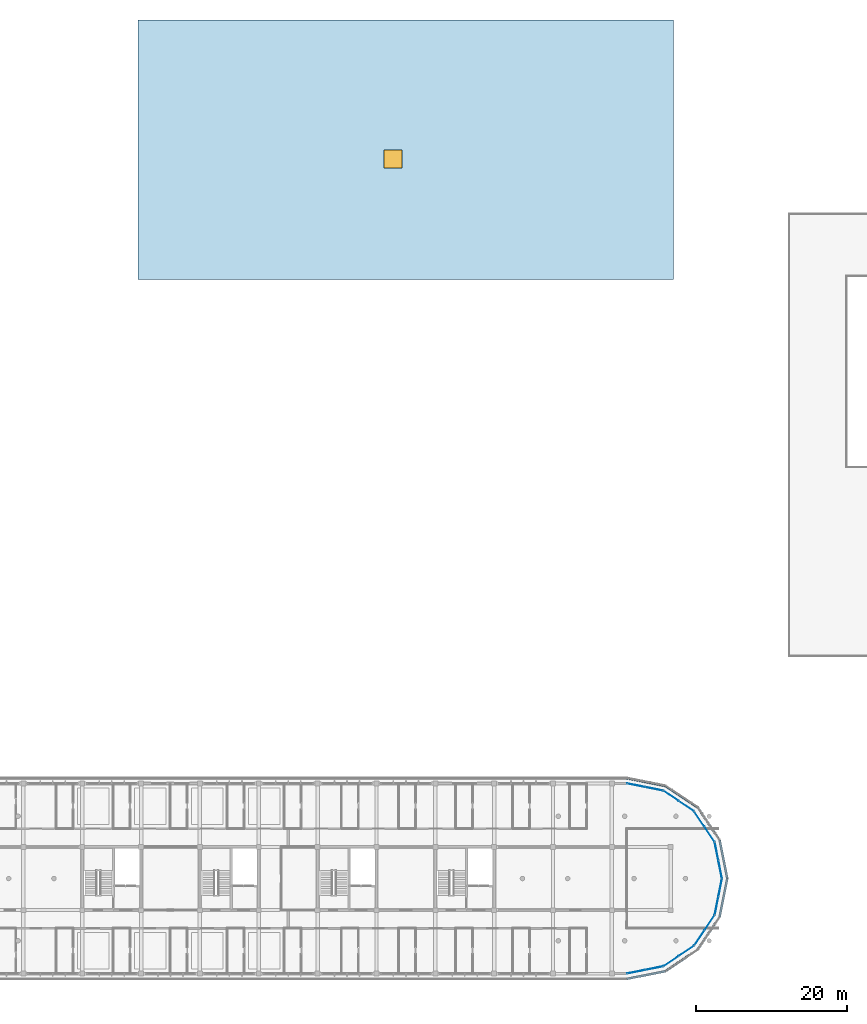
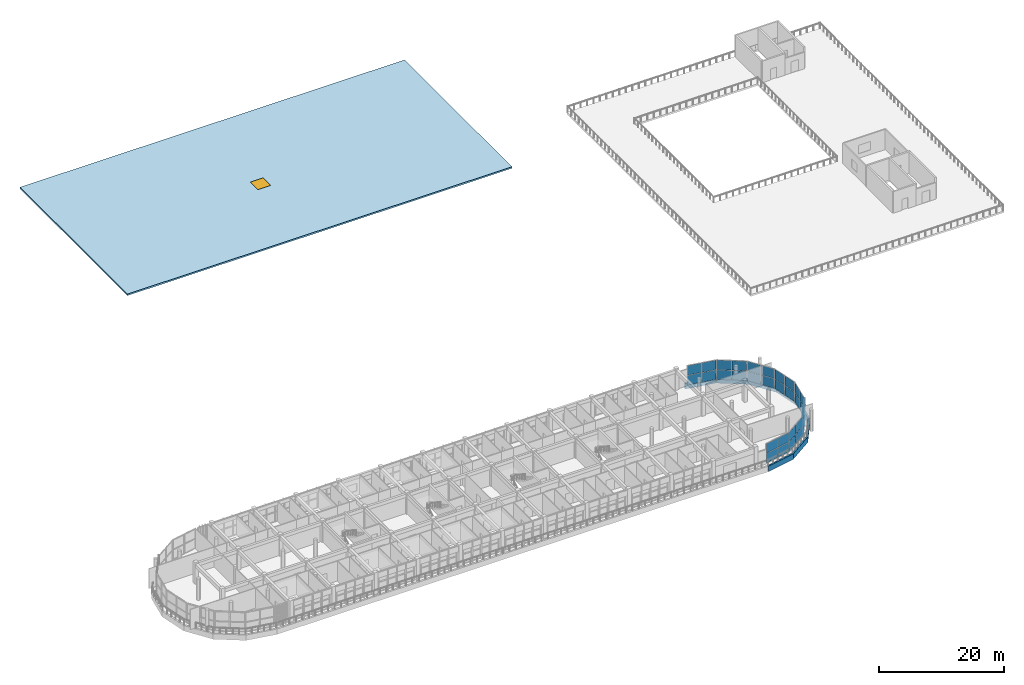
# One storey, part 48 of 63: 40 plates, 1 slab, 1 window, 1 opening, 8 elements without a shape of their own.
"""IFC4 building model written with IfcOpenShell, lengths in metres."""

from ifc_helpers import new_model, si_unit, direction, frame, origin, origin_2d, place, context, subcontext, project, spatial, polyline, rectangle, outline, extrude, material, layer, layer_set, type_object, element, fill, aggregate, save


model = new_model("IFC4")

# Units and contexts
model_context = context("Model", 3, precision=1e-05, world=origin(), true_north=direction((0.0, 1.0)))
body_context = subcontext(model_context, "Body", "Model", "MODEL_VIEW")
ifc_project = project(units=[si_unit("LENGTHUNIT", "METRE"), si_unit("AREAUNIT", "SQUARE_METRE"), si_unit("VOLUMEUNIT", "CUBIC_METRE"), si_unit("PLANEANGLEUNIT", "RADIAN"), si_unit("MASSUNIT", "GRAM", prefix="KILO")], contexts=[model_context])

# Site, building, storey
site_placement = place(None, origin())
site = spatial("IfcSite", under=ifc_project, at=site_placement, CompositionType="ELEMENT")
building_placement = place(site_placement, origin())
building = spatial("IfcBuilding", under=site, at=building_placement, Name="Zizhar Promenade General Hospital", CompositionType="ELEMENT")
storey_placement = place(building_placement, frame((0.0, 0.0, 18.0)))
storey = spatial("IfcBuildingStorey", under=building, at=storey_placement, Name="L04", CompositionType="ELEMENT", Elevation=18.0)

# Curtain wall, plates
ifc_material_1 = material(Name="Anodised aluminium 6063-T6 and low-E glass", Category="aluminium")
ifc_layer_1 = layer(ifc_material_1, 0.159912109375)
ifc_layer_set_1 = layer_set([ifc_layer_1], Name="Anodised aluminium 6063-T6 and low-E glass")
curtain_wall_type = type_object("IfcCurtainWallType", Name="CW-WARD-ARC", PredefinedType="NOTDEFINED", material=ifc_layer_set_1)
curtain_wall_1_placement = place(storey_placement, origin())
curtain_wall_1 = element("IfcCurtainWall", 1, at=curtain_wall_1_placement, inside=storey, type_object=curtain_wall_type, Name="Ward Semicircular End Glazing L04-01", PredefinedType="NOTDEFINED")
ifc_material_2 = material(Name="Low-E solar-control glass", Category="glass")
ifc_layer_2 = layer(ifc_material_2, 0.031982421875)
ifc_layer_set_2 = layer_set([ifc_layer_2], Name="Low-E solar-control glass")
plate_type_1 = type_object("IfcPlateType", Name="CWP-GLZ-32", PredefinedType="CURTAIN_PANEL", material=ifc_layer_set_2)
plate_1_placement = place(storey_placement, frame((122.6015625, 0.71630859375, 0.06005859375), z_axis=(0.0, 0.0, 1.0), x_axis=(-0.980785889615, -0.195087259275, 0.0)))
plate_1 = element("IfcPlate", 2, at=plate_1_placement, type_object=plate_type_1, Name="CW-12 panel 1.1", PredefinedType="CURTAIN_PANEL", context=body_context, shape_type="SweptSolid", body=[
    extrude(rectangle(XDim=2.3681640625, YDim=0.031982421875, at=origin_2d()), origin(), (0.0, 0.0, 1.0), 1.860107421875),
])
plate_2_placement = place(storey_placement, frame((122.6015625, 0.71630859375, 1.97998046875), z_axis=(0.0, 0.0, 1.0), x_axis=(-0.980785889615, -0.195087259275, 0.0)))
plate_2 = element("IfcPlate", 3, at=plate_2_placement, type_object=plate_type_1, Name="CW-12 panel 1.2", PredefinedType="CURTAIN_PANEL", context=body_context, shape_type="SweptSolid", body=[
    extrude(rectangle(XDim=2.3681640625, YDim=0.031982421875, at=origin_2d()), origin(), (0.0, 0.0, 1.0), 1.860107421875),
])
plate_3_placement = place(storey_placement, frame((120.22021484375, 0.24267578125, 0.06005859375), z_axis=(0.0, 0.0, 1.0), x_axis=(-0.980785889615, -0.195087259275, 0.0)))
plate_3 = element("IfcPlate", 4, at=plate_3_placement, type_object=plate_type_1, Name="CW-12 panel 2.1", PredefinedType="CURTAIN_PANEL", context=body_context, shape_type="SweptSolid", body=[
    extrude(rectangle(XDim=2.3681640625, YDim=0.031982421875, at=origin_2d()), origin(), (0.0, 0.0, 1.0), 1.860107421875),
])
plate_4_placement = place(storey_placement, frame((120.22021484375, 0.24267578125, 1.97998046875), z_axis=(0.0, 0.0, 1.0), x_axis=(-0.980785889615, -0.195087259275, 0.0)))
plate_4 = element("IfcPlate", 5, at=plate_4_placement, type_object=plate_type_1, Name="CW-12 panel 2.2", PredefinedType="CURTAIN_PANEL", context=body_context, shape_type="SweptSolid", body=[
    extrude(rectangle(XDim=2.3681640625, YDim=0.031982421875, at=origin_2d()), origin(), (0.0, 0.0, 1.0), 1.860107421875),
])
aggregate(curtain_wall_1, [plate_1, plate_2, plate_3, plate_4])

curtain_wall_2_placement = place(storey_placement, origin())
curtain_wall_2 = element("IfcCurtainWall", 6, at=curtain_wall_2_placement, inside=storey, type_object=curtain_wall_type, Name="Ward Semicircular End Glazing L04-02", PredefinedType="NOTDEFINED")
plate_5_placement = place(storey_placement, frame((126.875, 2.999267578125, 0.06005859375), z_axis=(0.0, 0.0, 1.0), x_axis=(-0.831461514468, -0.555582352095, 0.0)))
plate_5 = element("IfcPlate", 7, at=plate_5_placement, type_object=plate_type_1, Name="CW-12 panel 1.1", PredefinedType="CURTAIN_PANEL", context=body_context, shape_type="SweptSolid", body=[
    extrude(rectangle(XDim=2.3681640625, YDim=0.031982421875, at=origin_2d()), origin(), (0.0, 0.0, 1.0), 1.860107421875),
])
plate_6_placement = place(storey_placement, frame((126.875, 2.999267578125, 1.97998046875), z_axis=(0.0, 0.0, 1.0), x_axis=(-0.831461514468, -0.555582352095, 0.0)))
plate_6 = element("IfcPlate", 8, at=plate_6_placement, type_object=plate_type_1, Name="CW-12 panel 1.2", PredefinedType="CURTAIN_PANEL", context=body_context, shape_type="SweptSolid", body=[
    extrude(rectangle(XDim=2.3681640625, YDim=0.031982421875, at=origin_2d()), origin(), (0.0, 0.0, 1.0), 1.860107421875),
])
plate_7_placement = place(storey_placement, frame((124.856201171875, 1.650390625, 0.06005859375), z_axis=(0.0, 0.0, 1.0), x_axis=(-0.831461514468, -0.555582352095, 0.0)))
plate_7 = element("IfcPlate", 9, at=plate_7_placement, type_object=plate_type_1, Name="CW-12 panel 2.1", PredefinedType="CURTAIN_PANEL", context=body_context, shape_type="SweptSolid", body=[
    extrude(rectangle(XDim=2.3681640625, YDim=0.031982421875, at=origin_2d()), origin(), (0.0, 0.0, 1.0), 1.860107421875),
])
plate_8_placement = place(storey_placement, frame((124.856201171875, 1.650390625, 1.97998046875), z_axis=(0.0, 0.0, 1.0), x_axis=(-0.831461514468, -0.555582352095, 0.0)))
plate_8 = element("IfcPlate", 10, at=plate_8_placement, type_object=plate_type_1, Name="CW-12 panel 2.2", PredefinedType="CURTAIN_PANEL", context=body_context, shape_type="SweptSolid", body=[
    extrude(rectangle(XDim=2.3681640625, YDim=0.031982421875, at=origin_2d()), origin(), (0.0, 0.0, 1.0), 1.860107421875),
])
aggregate(curtain_wall_2, [plate_5, plate_6, plate_7, plate_8])

curtain_wall_3_placement = place(storey_placement, origin())
curtain_wall_3 = element("IfcCurtainWall", 11, at=curtain_wall_3_placement, inside=storey, type_object=curtain_wall_type, Name="Ward Semicircular End Glazing L04-03", PredefinedType="NOTDEFINED")
plate_9_placement = place(storey_placement, frame((129.94970703125, 6.743896484375, 0.06005859375), z_axis=(0.0, 0.0, 1.0), x_axis=(-0.555582352095, -0.831461514468, 0.0)))
plate_9 = element("IfcPlate", 12, at=plate_9_placement, type_object=plate_type_1, Name="CW-12 panel 1.1", PredefinedType="CURTAIN_PANEL", context=body_context, shape_type="SweptSolid", body=[
    extrude(rectangle(XDim=2.3681640625, YDim=0.031982421875, at=origin_2d()), origin(), (0.0, 0.0, 1.0), 1.860107421875),
])
plate_10_placement = place(storey_placement, frame((129.94970703125, 6.743896484375, 1.97998046875), z_axis=(0.0, 0.0, 1.0), x_axis=(-0.555582352095, -0.831461514468, 0.0)))
plate_10 = element("IfcPlate", 13, at=plate_10_placement, type_object=plate_type_1, Name="CW-12 panel 1.2", PredefinedType="CURTAIN_PANEL", context=body_context, shape_type="SweptSolid", body=[
    extrude(rectangle(XDim=2.3681640625, YDim=0.031982421875, at=origin_2d()), origin(), (0.0, 0.0, 1.0), 1.860107421875),
])
plate_11_placement = place(storey_placement, frame((128.6005859375, 4.724853515625, 0.06005859375), z_axis=(0.0, 0.0, 1.0), x_axis=(-0.555582352095, -0.831461514468, 0.0)))
plate_11 = element("IfcPlate", 14, at=plate_11_placement, type_object=plate_type_1, Name="CW-12 panel 2.1", PredefinedType="CURTAIN_PANEL", context=body_context, shape_type="SweptSolid", body=[
    extrude(rectangle(XDim=2.3681640625, YDim=0.031982421875, at=origin_2d()), origin(), (0.0, 0.0, 1.0), 1.860107421875),
])
plate_12_placement = place(storey_placement, frame((128.6005859375, 4.724853515625, 1.97998046875), z_axis=(0.0, 0.0, 1.0), x_axis=(-0.555582352095, -0.831461514468, 0.0)))
plate_12 = element("IfcPlate", 15, at=plate_12_placement, type_object=plate_type_1, Name="CW-12 panel 2.2", PredefinedType="CURTAIN_PANEL", context=body_context, shape_type="SweptSolid", body=[
    extrude(rectangle(XDim=2.3681640625, YDim=0.031982421875, at=origin_2d()), origin(), (0.0, 0.0, 1.0), 1.860107421875),
])
aggregate(curtain_wall_3, [plate_9, plate_10, plate_11, plate_12])

curtain_wall_4_placement = place(storey_placement, origin())
curtain_wall_4 = element("IfcCurtainWall", 16, at=curtain_wall_4_placement, inside=storey, type_object=curtain_wall_type, Name="Ward Semicircular End Glazing L04-04", PredefinedType="NOTDEFINED")
plate_13_placement = place(storey_placement, frame((131.357177734375, 11.3798828125, 0.06005859375), z_axis=(0.0, 0.0, 1.0), x_axis=(-0.195087259275, -0.980785889615, 0.0)))
plate_13 = element("IfcPlate", 17, at=plate_13_placement, type_object=plate_type_1, Name="CW-12 panel 1.1", PredefinedType="CURTAIN_PANEL", context=body_context, shape_type="SweptSolid", body=[
    extrude(rectangle(XDim=2.3681640625, YDim=0.031982421875, at=origin_2d()), origin(), (0.0, 0.0, 1.0), 1.860107421875),
])
plate_14_placement = place(storey_placement, frame((131.357177734375, 11.3798828125, 1.97998046875), z_axis=(0.0, 0.0, 1.0), x_axis=(-0.195087259275, -0.980785889615, 0.0)))
plate_14 = element("IfcPlate", 18, at=plate_14_placement, type_object=plate_type_1, Name="CW-12 panel 1.2", PredefinedType="CURTAIN_PANEL", context=body_context, shape_type="SweptSolid", body=[
    extrude(rectangle(XDim=2.3681640625, YDim=0.031982421875, at=origin_2d()), origin(), (0.0, 0.0, 1.0), 1.860107421875),
])
plate_15_placement = place(storey_placement, frame((130.883544921875, 8.998291015625, 0.06005859375), z_axis=(0.0, 0.0, 1.0), x_axis=(-0.195087259275, -0.980785889615, 0.0)))
plate_15 = element("IfcPlate", 19, at=plate_15_placement, type_object=plate_type_1, Name="CW-12 panel 2.1", PredefinedType="CURTAIN_PANEL", context=body_context, shape_type="SweptSolid", body=[
    extrude(rectangle(XDim=2.3681640625, YDim=0.031982421875, at=origin_2d()), origin(), (0.0, 0.0, 1.0), 1.860107421875),
])
plate_16_placement = place(storey_placement, frame((130.883544921875, 8.998291015625, 1.97998046875), z_axis=(0.0, 0.0, 1.0), x_axis=(-0.195087259275, -0.980785889615, 0.0)))
plate_16 = element("IfcPlate", 20, at=plate_16_placement, type_object=plate_type_1, Name="CW-12 panel 2.2", PredefinedType="CURTAIN_PANEL", context=body_context, shape_type="SweptSolid", body=[
    extrude(rectangle(XDim=2.3681640625, YDim=0.031982421875, at=origin_2d()), origin(), (0.0, 0.0, 1.0), 1.860107421875),
])
aggregate(curtain_wall_4, [plate_13, plate_14, plate_15, plate_16])

curtain_wall_5_placement = place(storey_placement, origin())
curtain_wall_5 = element("IfcCurtainWall", 21, at=curtain_wall_5_placement, inside=storey, type_object=curtain_wall_type, Name="Ward Semicircular End Glazing L04-05", PredefinedType="NOTDEFINED")
plate_17_placement = place(storey_placement, frame((130.883544921875, 16.20166015625, 0.06005859375), z_axis=(0.0, 0.0, 1.0), x_axis=(0.195087259275, -0.980785889615, 0.0)))
plate_17 = element("IfcPlate", 22, at=plate_17_placement, type_object=plate_type_1, Name="CW-12 panel 1.1", PredefinedType="CURTAIN_PANEL", context=body_context, shape_type="SweptSolid", body=[
    extrude(rectangle(XDim=2.3681640625, YDim=0.031982421875, at=origin_2d()), origin(), (0.0, 0.0, 1.0), 1.860107421875),
])
plate_18_placement = place(storey_placement, frame((130.883544921875, 16.20166015625, 1.97998046875), z_axis=(0.0, 0.0, 1.0), x_axis=(0.195087259275, -0.980785889615, 0.0)))
plate_18 = element("IfcPlate", 23, at=plate_18_placement, type_object=plate_type_1, Name="CW-12 panel 1.2", PredefinedType="CURTAIN_PANEL", context=body_context, shape_type="SweptSolid", body=[
    extrude(rectangle(XDim=2.3681640625, YDim=0.031982421875, at=origin_2d()), origin(), (0.0, 0.0, 1.0), 1.860107421875),
])
plate_19_placement = place(storey_placement, frame((131.357177734375, 13.820068359375, 0.06005859375), z_axis=(0.0, 0.0, 1.0), x_axis=(0.195087259275, -0.980785889615, 0.0)))
plate_19 = element("IfcPlate", 24, at=plate_19_placement, type_object=plate_type_1, Name="CW-12 panel 2.1", PredefinedType="CURTAIN_PANEL", context=body_context, shape_type="SweptSolid", body=[
    extrude(rectangle(XDim=2.3681640625, YDim=0.031982421875, at=origin_2d()), origin(), (0.0, 0.0, 1.0), 1.860107421875),
])
plate_20_placement = place(storey_placement, frame((131.357177734375, 13.820068359375, 1.97998046875), z_axis=(0.0, 0.0, 1.0), x_axis=(0.195087259275, -0.980785889615, 0.0)))
plate_20 = element("IfcPlate", 25, at=plate_20_placement, type_object=plate_type_1, Name="CW-12 panel 2.2", PredefinedType="CURTAIN_PANEL", context=body_context, shape_type="SweptSolid", body=[
    extrude(rectangle(XDim=2.3681640625, YDim=0.031982421875, at=origin_2d()), origin(), (0.0, 0.0, 1.0), 1.860107421875),
])
aggregate(curtain_wall_5, [plate_17, plate_18, plate_19, plate_20])

curtain_wall_6_placement = place(storey_placement, origin())
curtain_wall_6 = element("IfcCurtainWall", 26, at=curtain_wall_6_placement, inside=storey, type_object=curtain_wall_type, Name="Ward Semicircular End Glazing L04-06", PredefinedType="NOTDEFINED")
plate_21_placement = place(storey_placement, frame((128.6005859375, 20.47509765625, 0.06005859375), z_axis=(0.0, 0.0, 1.0), x_axis=(0.555582352095, -0.831461514468, 0.0)))
plate_21 = element("IfcPlate", 27, at=plate_21_placement, type_object=plate_type_1, Name="CW-12 panel 1.1", PredefinedType="CURTAIN_PANEL", context=body_context, shape_type="SweptSolid", body=[
    extrude(rectangle(XDim=2.3681640625, YDim=0.031982421875, at=origin_2d()), origin(), (0.0, 0.0, 1.0), 1.860107421875),
])
plate_22_placement = place(storey_placement, frame((128.6005859375, 20.47509765625, 1.97998046875), z_axis=(0.0, 0.0, 1.0), x_axis=(0.555582352095, -0.831461514468, 0.0)))
plate_22 = element("IfcPlate", 28, at=plate_22_placement, type_object=plate_type_1, Name="CW-12 panel 1.2", PredefinedType="CURTAIN_PANEL", context=body_context, shape_type="SweptSolid", body=[
    extrude(rectangle(XDim=2.3681640625, YDim=0.031982421875, at=origin_2d()), origin(), (0.0, 0.0, 1.0), 1.860107421875),
])
plate_23_placement = place(storey_placement, frame((129.94970703125, 18.456298828125, 0.06005859375), z_axis=(0.0, 0.0, 1.0), x_axis=(0.555582352095, -0.831461514468, 0.0)))
plate_23 = element("IfcPlate", 29, at=plate_23_placement, type_object=plate_type_1, Name="CW-12 panel 2.1", PredefinedType="CURTAIN_PANEL", context=body_context, shape_type="SweptSolid", body=[
    extrude(rectangle(XDim=2.3681640625, YDim=0.031982421875, at=origin_2d()), origin(), (0.0, 0.0, 1.0), 1.860107421875),
])
plate_24_placement = place(storey_placement, frame((129.94970703125, 18.456298828125, 1.97998046875), z_axis=(0.0, 0.0, 1.0), x_axis=(0.555582352095, -0.831461514468, 0.0)))
plate_24 = element("IfcPlate", 30, at=plate_24_placement, type_object=plate_type_1, Name="CW-12 panel 2.2", PredefinedType="CURTAIN_PANEL", context=body_context, shape_type="SweptSolid", body=[
    extrude(rectangle(XDim=2.3681640625, YDim=0.031982421875, at=origin_2d()), origin(), (0.0, 0.0, 1.0), 1.860107421875),
])
aggregate(curtain_wall_6, [plate_21, plate_22, plate_23, plate_24])

curtain_wall_7_placement = place(storey_placement, origin())
curtain_wall_7 = element("IfcCurtainWall", 31, at=curtain_wall_7_placement, inside=storey, type_object=curtain_wall_type, Name="Ward Semicircular End Glazing L04-07", PredefinedType="NOTDEFINED")
plate_25_placement = place(storey_placement, frame((124.856201171875, 23.5498046875, 0.06005859375), z_axis=(0.0, 0.0, 1.0), x_axis=(0.831461514468, -0.555582352095, 0.0)))
plate_25 = element("IfcPlate", 32, at=plate_25_placement, type_object=plate_type_1, Name="CW-12 panel 1.1", PredefinedType="CURTAIN_PANEL", context=body_context, shape_type="SweptSolid", body=[
    extrude(rectangle(XDim=2.3681640625, YDim=0.031982421875, at=origin_2d()), origin(), (0.0, 0.0, 1.0), 1.860107421875),
])
plate_26_placement = place(storey_placement, frame((124.856201171875, 23.5498046875, 1.97998046875), z_axis=(0.0, 0.0, 1.0), x_axis=(0.831461514468, -0.555582352095, 0.0)))
plate_26 = element("IfcPlate", 33, at=plate_26_placement, type_object=plate_type_1, Name="CW-12 panel 1.2", PredefinedType="CURTAIN_PANEL", context=body_context, shape_type="SweptSolid", body=[
    extrude(rectangle(XDim=2.3681640625, YDim=0.031982421875, at=origin_2d()), origin(), (0.0, 0.0, 1.0), 1.860107421875),
])
plate_27_placement = place(storey_placement, frame((126.875, 22.20068359375, 0.06005859375), z_axis=(0.0, 0.0, 1.0), x_axis=(0.831461514468, -0.555582352095, 0.0)))
plate_27 = element("IfcPlate", 34, at=plate_27_placement, type_object=plate_type_1, Name="CW-12 panel 2.1", PredefinedType="CURTAIN_PANEL", context=body_context, shape_type="SweptSolid", body=[
    extrude(rectangle(XDim=2.3681640625, YDim=0.031982421875, at=origin_2d()), origin(), (0.0, 0.0, 1.0), 1.860107421875),
])
plate_28_placement = place(storey_placement, frame((126.875, 22.20068359375, 1.97998046875), z_axis=(0.0, 0.0, 1.0), x_axis=(0.831461514468, -0.555582352095, 0.0)))
plate_28 = element("IfcPlate", 35, at=plate_28_placement, type_object=plate_type_1, Name="CW-12 panel 2.2", PredefinedType="CURTAIN_PANEL", context=body_context, shape_type="SweptSolid", body=[
    extrude(rectangle(XDim=2.3681640625, YDim=0.031982421875, at=origin_2d()), origin(), (0.0, 0.0, 1.0), 1.860107421875),
])
aggregate(curtain_wall_7, [plate_25, plate_26, plate_27, plate_28])

curtain_wall_8_placement = place(storey_placement, origin())
curtain_wall_8 = element("IfcCurtainWall", 36, at=curtain_wall_8_placement, inside=storey, type_object=curtain_wall_type, Name="Ward Semicircular End Glazing L04-08", PredefinedType="NOTDEFINED")
plate_29_placement = place(storey_placement, frame((120.22021484375, 24.957275390625, 0.06005859375), z_axis=(0.0, 0.0, 1.0), x_axis=(0.980785889615, -0.195087259275, 0.0)))
plate_29 = element("IfcPlate", 37, at=plate_29_placement, type_object=plate_type_1, Name="CW-12 panel 1.1", PredefinedType="CURTAIN_PANEL", context=body_context, shape_type="SweptSolid", body=[
    extrude(rectangle(XDim=2.3681640625, YDim=0.031982421875, at=origin_2d()), origin(), (0.0, 0.0, 1.0), 1.860107421875),
])
plate_30_placement = place(storey_placement, frame((120.22021484375, 24.957275390625, 1.97998046875), z_axis=(0.0, 0.0, 1.0), x_axis=(0.980785889615, -0.195087259275, 0.0)))
plate_30 = element("IfcPlate", 38, at=plate_30_placement, type_object=plate_type_1, Name="CW-12 panel 1.2", PredefinedType="CURTAIN_PANEL", context=body_context, shape_type="SweptSolid", body=[
    extrude(rectangle(XDim=2.3681640625, YDim=0.031982421875, at=origin_2d()), origin(), (0.0, 0.0, 1.0), 1.860107421875),
])
plate_31_placement = place(storey_placement, frame((122.6015625, 24.483642578125, 0.06005859375), z_axis=(0.0, 0.0, 1.0), x_axis=(0.980785889615, -0.195087259275, 0.0)))
plate_31 = element("IfcPlate", 39, at=plate_31_placement, type_object=plate_type_1, Name="CW-12 panel 2.1", PredefinedType="CURTAIN_PANEL", context=body_context, shape_type="SweptSolid", body=[
    extrude(rectangle(XDim=2.3681640625, YDim=0.031982421875, at=origin_2d()), origin(), (0.0, 0.0, 1.0), 1.860107421875),
])
plate_32_placement = place(storey_placement, frame((122.6015625, 24.483642578125, 1.97998046875), z_axis=(0.0, 0.0, 1.0), x_axis=(0.980785889615, -0.195087259275, 0.0)))
plate_32 = element("IfcPlate", 40, at=plate_32_placement, type_object=plate_type_1, Name="CW-12 panel 2.2", PredefinedType="CURTAIN_PANEL", context=body_context, shape_type="SweptSolid", body=[
    extrude(rectangle(XDim=2.3681640625, YDim=0.031982421875, at=origin_2d()), origin(), (0.0, 0.0, 1.0), 1.860107421875),
])
aggregate(curtain_wall_8, [plate_29, plate_30, plate_31, plate_32])

# Plates
ifc_material_3 = material(Name="Precast concrete C40/50", Category="concrete")
ifc_layer_3 = layer(ifc_material_3, 0.300048828125)
ifc_layer_set_3 = layer_set([ifc_layer_3], Name="Precast concrete C40/50")
plate_type_2 = type_object("IfcPlateType", Name="PL-PC-BAND1100", PredefinedType="USERDEFINED", material=ifc_layer_set_3)
plate_33_placement = place(storey_placement, frame((0.0, 0.0, -1.050048828125)))
element("IfcPlate", 41, at=plate_33_placement, inside=storey, type_object=plate_type_2, Name="Ward Precast Slab Band L04-01", ObjectType="FASCIA_BAND", PredefinedType="USERDEFINED", context=body_context, shape_type="SweptSolid", body=[
    extrude(outline(polyline([(119.0, -0.85009765625), (124.147216796875, 0.173828125), (124.088623046875, 0.468017578125), (118.94140625, -0.555908203125), (119.0, -0.85009765625)])), origin(), (0.0, 0.0, 1.0), 1.050048828125),
])
plate_34_placement = place(storey_placement, frame((0.0, 0.0, -1.050048828125)))
element("IfcPlate", 42, at=plate_34_placement, inside=storey, type_object=plate_type_2, Name="Ward Precast Slab Band L04-02", ObjectType="FASCIA_BAND", PredefinedType="USERDEFINED", context=body_context, shape_type="SweptSolid", body=[
    extrude(outline(polyline([(124.147216796875, 0.173828125), (128.510498046875, 3.08935546875), (128.343994140625, 3.3388671875), (123.98046875, 0.423095703125), (124.147216796875, 0.173828125)])), origin(), (0.0, 0.0, 1.0), 1.050048828125),
])
plate_35_placement = place(storey_placement, frame((0.0, 0.0, -1.050048828125)))
element("IfcPlate", 43, at=plate_35_placement, inside=storey, type_object=plate_type_2, Name="Ward Precast Slab Band L04-03", ObjectType="FASCIA_BAND", PredefinedType="USERDEFINED", context=body_context, shape_type="SweptSolid", body=[
    extrude(outline(polyline([(128.510498046875, 3.08935546875), (131.42626953125, 7.452880859375), (131.1767578125, 7.61962890625), (128.26123046875, 3.256103515625), (128.510498046875, 3.08935546875)])), origin(), (0.0, 0.0, 1.0), 1.050048828125),
])
plate_36_placement = place(storey_placement, frame((0.0, 0.0, -1.050048828125)))
element("IfcPlate", 44, at=plate_36_placement, inside=storey, type_object=plate_type_2, Name="Ward Precast Slab Band L04-04", ObjectType="FASCIA_BAND", PredefinedType="USERDEFINED", context=body_context, shape_type="SweptSolid", body=[
    extrude(outline(polyline([(131.42626953125, 7.452880859375), (132.449951171875, 12.60009765625), (132.15576171875, 12.658447265625), (131.132080078125, 7.511474609375), (131.42626953125, 7.452880859375)])), origin(), (0.0, 0.0, 1.0), 1.050048828125),
])
plate_37_placement = place(storey_placement, frame((0.0, 0.0, -1.050048828125)))
element("IfcPlate", 45, at=plate_37_placement, inside=storey, type_object=plate_type_2, Name="Ward Precast Slab Band L04-05", ObjectType="FASCIA_BAND", PredefinedType="USERDEFINED", context=body_context, shape_type="SweptSolid", body=[
    extrude(outline(polyline([(132.449951171875, 12.60009765625), (131.42626953125, 17.7470703125), (131.132080078125, 17.688720703125), (132.15576171875, 12.54150390625), (132.449951171875, 12.60009765625)])), origin(), (0.0, 0.0, 1.0), 1.050048828125),
])
plate_38_placement = place(storey_placement, frame((0.0, 0.0, -1.050048828125)))
element("IfcPlate", 46, at=plate_38_placement, inside=storey, type_object=plate_type_2, Name="Ward Precast Slab Band L04-06", ObjectType="FASCIA_BAND", PredefinedType="USERDEFINED", context=body_context, shape_type="SweptSolid", body=[
    extrude(outline(polyline([(131.42626953125, 17.7470703125), (128.510498046875, 22.110595703125), (128.26123046875, 21.94384765625), (131.1767578125, 17.580322265625), (131.42626953125, 17.7470703125)])), origin(), (0.0, 0.0, 1.0), 1.050048828125),
])
plate_39_placement = place(storey_placement, frame((0.0, 0.0, -1.050048828125)))
element("IfcPlate", 47, at=plate_39_placement, inside=storey, type_object=plate_type_2, Name="Ward Precast Slab Band L04-07", ObjectType="FASCIA_BAND", PredefinedType="USERDEFINED", context=body_context, shape_type="SweptSolid", body=[
    extrude(outline(polyline([(128.510498046875, 22.110595703125), (124.147216796875, 25.026123046875), (123.98046875, 24.77685546875), (128.343994140625, 21.861083984375), (128.510498046875, 22.110595703125)])), origin(), (0.0, 0.0, 1.0), 1.050048828125),
])
plate_40_placement = place(storey_placement, frame((0.0, 0.0, -1.050048828125)))
element("IfcPlate", 48, at=plate_40_placement, inside=storey, type_object=plate_type_2, Name="Ward Precast Slab Band L04-08", ObjectType="FASCIA_BAND", PredefinedType="USERDEFINED", context=body_context, shape_type="SweptSolid", body=[
    extrude(outline(polyline([(124.147216796875, 25.026123046875), (119.0, 26.050048828125), (118.94140625, 25.755859375), (124.088623046875, 24.73193359375), (124.147216796875, 25.026123046875)])), origin(), (0.0, 0.0, 1.0), 1.050048828125),
])

# Slab, opening, window
ifc_material_4 = material(Name="Concrete C35/45", Category="concrete")
ifc_layer_4 = layer(ifc_material_4, 0.300048828125)
ifc_layer_set_4 = layer_set([ifc_layer_4], Name="Concrete C35/45")
slab_type = type_object("IfcSlabType", Name="SLB-ROOF-300", PredefinedType="ROOF", material=ifc_layer_set_4)
slab_placement = place(storey_placement, frame((0.0, 0.0, -0.300048828125)))
slab = element("IfcSlab", 49, at=slab_placement, inside=storey, type_object=slab_type, Name="Surgical Suite Interstitial Acoustic Roof Slab", PredefinedType="ROOF", context=body_context, shape_type="SweptSolid", body=[
    extrude(outline(polyline([(54.199951171875, 92.0), (125.199951171875, 92.0), (125.199951171875, 126.39990234375), (54.199951171875, 126.39990234375), (54.199951171875, 92.0)])), origin(), (0.0, 0.0, 1.0), 0.300048828125),
])
opening_placement = place(slab_placement, frame((88.0, 108.0, 0.0)))
opening = element("IfcOpeningElement", 50, at=opening_placement, cuts=slab, Name="Opening SK-01", PredefinedType="OPENING", context=body_context, shape_type="SweptSolid", body=[
    extrude(rectangle(XDim=2.39990234375, YDim=2.39990234375, at=origin_2d()), origin(), (0.0, 0.0, 1.0), 0.300048828125),
])
ifc_material_5 = material(Name="Anodised aluminium 6063-T6 and low-E glass", Category="aluminium")
window_type = type_object("IfcWindowType", Name="SKY-VENT-240x240", PartitioningType="SINGLE_PANEL", PredefinedType="SKYLIGHT", material=ifc_material_5)
window_placement = place(opening_placement, frame((0.0, 0.0, 0.25)))
window = element("IfcWindow", 51, at=window_placement, inside=storey, type_object=window_type, Name="Roof Smoke Vent and Access Skylight 9", OverallHeight=2.39990234375, OverallWidth=2.39990234375, PartitioningType="SINGLE_PANEL", PredefinedType="SKYLIGHT", context=body_context, shape_type="SweptSolid", body=[
    extrude(rectangle(XDim=2.39990234375, YDim=2.39990234375, at=origin_2d()), origin(), (0.0, 0.0, 1.0), 0.050048828125),
])
fill(opening, window)

save(model, "model.ifc")
